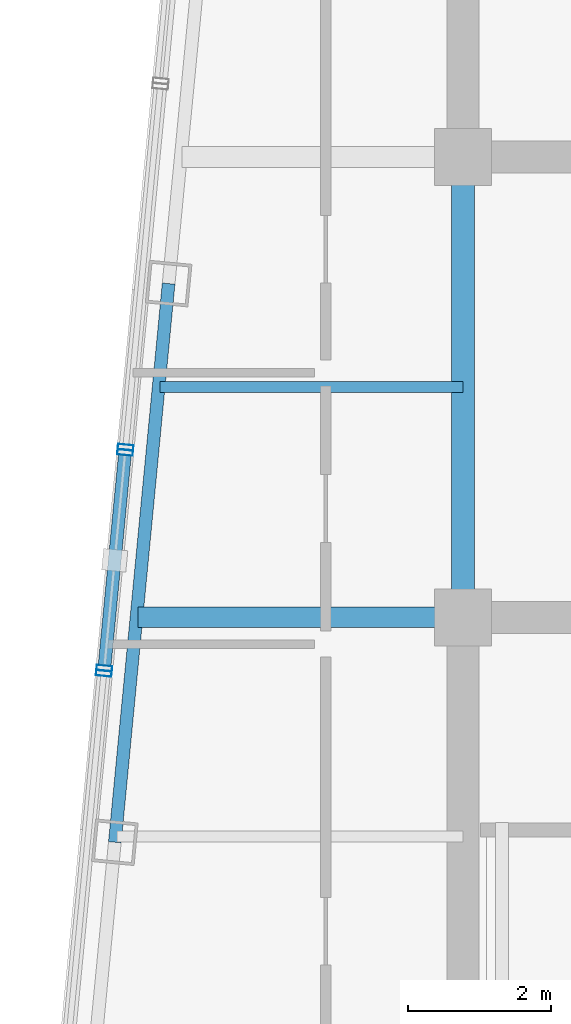
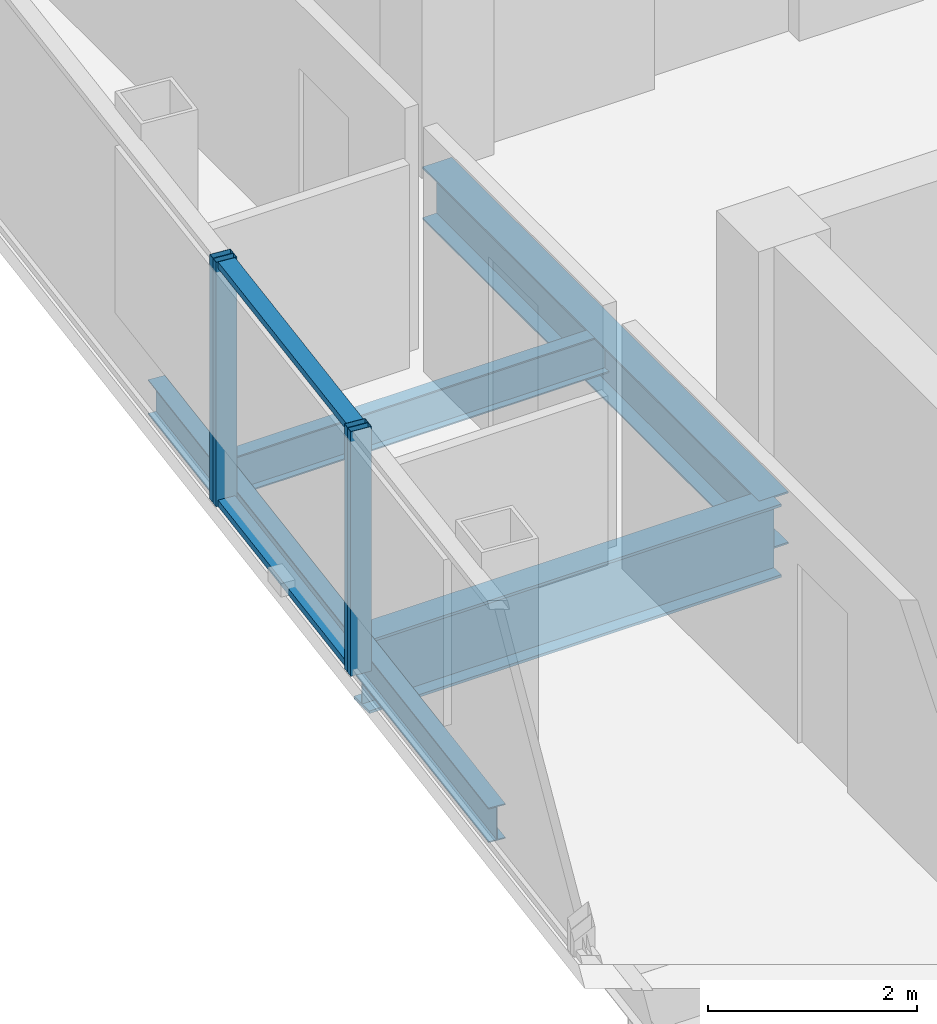
# One storey, part 7 of 23: 6 members, 4 beams, 3 elements without a shape of their own.
"""IFC4 building model written with IfcOpenShell, lengths in metres."""

from ifc_helpers import new_model, si_unit, direction, frame, origin, origin_2d, place, context, subcontext, project, spatial, hollow_rectangle, i_section, extrude, material, layer, layer_set, material_profile, profile_set, type_object, element, aggregate, save


model = new_model("IFC4")

# Units and contexts
model_context = context("Model", 3, precision=1e-05, world=origin(), true_north=direction((0.0, 1.0)))
body_context = subcontext(model_context, "Body", "Model", "MODEL_VIEW")
ifc_project = project(units=[si_unit("LENGTHUNIT", "METRE"), si_unit("AREAUNIT", "SQUARE_METRE"), si_unit("VOLUMEUNIT", "CUBIC_METRE"), si_unit("PLANEANGLEUNIT", "RADIAN"), si_unit("MASSUNIT", "GRAM", prefix="KILO")], contexts=[model_context])

# Site, building, storey
site_placement = place(None, origin())
site = spatial("IfcSite", under=ifc_project, at=site_placement, CompositionType="ELEMENT")
building_placement = place(site_placement, origin())
building = spatial("IfcBuilding", under=site, at=building_placement, Name="Qhalaya Broadcast Tower", CompositionType="ELEMENT")
storey_placement = place(building_placement, frame((0.0, 0.0, 261.14990234375)))
storey = spatial("IfcBuildingStorey", under=building, at=storey_placement, Name="L77", CompositionType="ELEMENT", Elevation=261.14990234375)

# Beams
ifc_material_1 = material(Name="Structural Steel ASTM A992 Grade 50", Category="steel")
ifc_material_profile_1 = material_profile(ifc_material_1, i_section(OverallWidth=0.154052734375, OverallDepth=0.458984375, WebThickness=0.009033203125, FlangeThickness=0.015380859375, at=origin_2d()), Name="W18X46")
ifc_profile_set_1 = profile_set([ifc_material_profile_1], Name="Structural Steel ASTM A992 Grade 50")
beam_type_1 = type_object("IfcBeamType", Name="Composite Floor Joist J04", PredefinedType="JOIST", material=ifc_profile_set_1)
beam_1_placement = place(storey_placement, frame((-13.622314453125, 0.60009765625, -0.41943359375), z_axis=(1.0, 0.0, 0.0), x_axis=(0.0, 1.0, 0.0)))
element("IfcBeam", 1, at=beam_1_placement, inside=storey, type_object=beam_type_1, Name="L77 J04 L77-JWE4W-1", PredefinedType="JOIST", context=body_context, shape_type="SweptSolid", body=[
    extrude(i_section(OverallWidth=0.154052734375, OverallDepth=0.458984375, WebThickness=0.009033203125, FlangeThickness=0.015380859375, at=origin_2d()), origin(), (0.0, 0.0, 1.0), 4.247314453125),
])
ifc_material_profile_2 = material_profile(ifc_material_1, i_section(OverallWidth=0.323974609375, OverallDepth=0.612060546875, WebThickness=0.0126953125, FlangeThickness=0.01904296875, at=origin_2d()), Name="W24X104")
ifc_profile_set_2 = profile_set([ifc_material_profile_2], Name="Structural Steel ASTM A992 Grade 50")
beam_type_2 = type_object("IfcBeamType", Name="Core Frame Tie Beam B04", PredefinedType="BEAM", material=ifc_profile_set_2)
beam_2_placement = place(storey_placement, frame((-9.375, -2.625, -0.495849609375), z_axis=(0.0, 1.0, 0.0), x_axis=(-1.0, 0.0, 0.0)))
element("IfcBeam", 2, at=beam_2_placement, inside=storey, type_object=beam_type_2, Name="L77 B04 L77-CCW", PredefinedType="BEAM", context=body_context, shape_type="SweptSolid", body=[
    extrude(i_section(OverallWidth=0.323974609375, OverallDepth=0.612060546875, WebThickness=0.0126953125, FlangeThickness=0.01904296875, at=origin_2d()), origin(), (0.0, 0.0, 1.0), 6.449951171875),
])

# Curtain wall, member
ifc_material_2 = material(Name="Fired Architectural Terracotta", Category="masonry")
ifc_layer_1 = layer(ifc_material_2, 0.219970703125, Name="Fired Architectural Terracotta")
ifc_layer_set_1 = layer_set([ifc_layer_1], Name="Fired Architectural Terracotta")
curtain_wall_type_1 = type_object("IfcCurtainWallType", Name="Block-Cap Unitised Terracotta Spandrel Wall CW-07", PredefinedType="NOTDEFINED", material=ifc_layer_set_1)
curtain_wall_1_placement = place(storey_placement, origin())
curtain_wall_1 = element("IfcCurtainWall", 3, at=curtain_wall_1_placement, inside=storey, type_object=curtain_wall_type_1, Name="L77 Unitised Curtain Wall L77-CW-W3", PredefinedType="NOTDEFINED")
ifc_material_3 = material(Name="Anodised Aluminium 6063-T6", Category="aluminium")
ifc_material_profile_3 = material_profile(ifc_material_3, hollow_rectangle(XDim=0.074951171875, YDim=0.219970703125, WallThickness=0.00390625, at=origin_2d()), Name="ALU-MUL 75x220x4")
ifc_profile_set_3 = profile_set([ifc_material_profile_3], Name="Anodised Aluminium 6063-T6")
member_type_1 = type_object("IfcMemberType", Name="Unitised Curtain-Wall Mullion M01", PredefinedType="MULLION", material=ifc_profile_set_3)
member_1_placement = place(storey_placement, frame((-14.105224609375, -0.240966796875, 0.0), z_axis=(0.0, 0.0, 1.0), x_axis=(-0.095851335452, -0.995395660776, 0.0)))
member_1 = element("IfcMember", 4, at=member_1_placement, type_object=member_type_1, Name="CW-07 mullion 2", PredefinedType="MULLION", context=body_context, shape_type="SweptSolid", body=[
    extrude(hollow_rectangle(XDim=0.074951171875, YDim=0.219970703125, WallThickness=0.00390625, at=origin_2d()), origin(), (0.0, 0.0, 1.0), 2.860107421875),
])
aggregate(curtain_wall_1, [member_1])

# Curtain wall, members
ifc_material_4 = material(Name="Solar-Control Low-E Triple Glazing", Category="glass")
ifc_layer_2 = layer(ifc_material_4, 0.219970703125, Name="Solar-Control Low-E Triple Glazing")
ifc_layer_set_2 = layer_set([ifc_layer_2], Name="Solar-Control Low-E Triple Glazing")
curtain_wall_type_2 = type_object("IfcCurtainWallType", Name="High-Altitude Upper-Shaft Triple Low-E Curtain Wall CW-04", PredefinedType="NOTDEFINED", material=ifc_layer_set_2)
curtain_wall_2_placement = place(storey_placement, origin())
curtain_wall_2 = element("IfcCurtainWall", 5, at=curtain_wall_2_placement, inside=storey, type_object=curtain_wall_type_2, Name="L77 Unitised Curtain Wall L77-CW-W4", PredefinedType="NOTDEFINED")
member_2_placement = place(storey_placement, frame((-14.1123046875, -0.315673828125, 0.0), z_axis=(0.0, 0.0, 1.0), x_axis=(-0.095819626155, -0.995398713704, 0.0)))
member_2 = element("IfcMember", 6, at=member_2_placement, type_object=member_type_1, Name="CW-04 mullion 1", PredefinedType="MULLION", context=body_context, shape_type="SweptSolid", body=[
    extrude(hollow_rectangle(XDim=0.074951171875, YDim=0.219970703125, WallThickness=0.00390625, at=origin_2d()), origin(), (0.0, 0.0, 1.0), 2.860107421875),
])
member_3_placement = place(storey_placement, frame((-14.403076171875, -3.336669921875, 0.0), z_axis=(0.0, 0.0, 1.0), x_axis=(-0.095819626155, -0.995398713704, 0.0)))
member_3 = element("IfcMember", 7, at=member_3_placement, type_object=member_type_1, Name="CW-04 mullion 2", PredefinedType="MULLION", context=body_context, shape_type="SweptSolid", body=[
    extrude(hollow_rectangle(XDim=0.074951171875, YDim=0.219970703125, WallThickness=0.00390625, at=origin_2d()), origin(), (0.0, 0.0, 1.0), 2.860107421875),
])

# Curtain wall, member
curtain_wall_3_placement = place(storey_placement, origin())
curtain_wall_3 = element("IfcCurtainWall", 8, at=curtain_wall_3_placement, inside=storey, type_object=curtain_wall_type_1, Name="L77 Unitised Curtain Wall L77-CW-W5", PredefinedType="NOTDEFINED")
member_4_placement = place(storey_placement, frame((-14.410400390625, -3.411376953125, 0.0), z_axis=(0.0, 0.0, 1.0), x_axis=(-0.095849485357, -0.995395838929, 0.0)))
member_4 = element("IfcMember", 9, at=member_4_placement, type_object=member_type_1, Name="CW-07 mullion 1", PredefinedType="MULLION", context=body_context, shape_type="SweptSolid", body=[
    extrude(hollow_rectangle(XDim=0.074951171875, YDim=0.219970703125, WallThickness=0.00390625, at=origin_2d()), origin(), (0.0, 0.0, 1.0), 2.860107421875),
])
aggregate(curtain_wall_3, [member_4])

# Member
ifc_material_profile_4 = material_profile(ifc_material_3, hollow_rectangle(XDim=0.074951171875, YDim=0.179931640625, WallThickness=0.00390625, at=origin_2d()), Name="ALU-TRN 75x180x4")
ifc_profile_set_4 = profile_set([ifc_material_profile_4], Name="Anodised Aluminium 6063-T6")
member_type_2 = type_object("IfcMemberType", Name="Unitised Curtain-Wall Transom T01", PredefinedType="USERDEFINED", material=ifc_profile_set_4)
member_5_placement = place(storey_placement, frame((-14.115966796875, -0.35302734375, 0.03759765625), z_axis=(-0.095754838418, -0.995404948209, 0.0), x_axis=(0.0, 0.0, 1.0)))
member_5 = element("IfcMember", 10, at=member_5_placement, type_object=member_type_2, Name="CW-04 transom 1.1", ObjectType="TRANSOM", PredefinedType="USERDEFINED", context=body_context, shape_type="SweptSolid", body=[
    extrude(hollow_rectangle(XDim=0.074951171875, YDim=0.179931640625, WallThickness=0.00390625, at=origin_2d()), origin(), (0.0, 0.0, 1.0), 2.960205078125),
])

member_6_placement = place(storey_placement, frame((-14.115966796875, -0.35302734375, 2.822509765625), z_axis=(-0.095754838418, -0.995404948209, 0.0), x_axis=(0.0, 0.0, 1.0)))
member_6 = element("IfcMember", 11, at=member_6_placement, type_object=member_type_2, Name="CW-04 transom 1.2", ObjectType="TRANSOM", PredefinedType="USERDEFINED", context=body_context, shape_type="SweptSolid", body=[
    extrude(hollow_rectangle(XDim=0.074951171875, YDim=0.179931640625, WallThickness=0.00390625, at=origin_2d()), origin(), (0.0, 0.0, 1.0), 2.960205078125),
])

aggregate(curtain_wall_2, [member_2, member_3, member_5, member_6])

# Beams
ifc_material_profile_5 = material_profile(ifc_material_1, i_section(OverallWidth=0.2919921875, OverallDepth=0.85888671875, WebThickness=0.01708984375, FlangeThickness=0.031005859375, at=origin_2d()), Name="W33X169")
ifc_profile_set_5 = profile_set([ifc_material_profile_5], Name="Structural Steel ASTM A992 Grade 50")
beam_type_3 = type_object("IfcBeamType", Name="Upper Block Primary Girder PG4", PredefinedType="USERDEFINED", material=ifc_profile_set_5)
beam_3_placement = place(storey_placement, frame((-13.9326171875, -2.625, -0.619384765625), z_axis=(1.0, 0.0, 0.0), x_axis=(0.0, 1.0, 0.0)))
element("IfcBeam", 12, at=beam_3_placement, inside=storey, type_object=beam_type_3, Name="L77 PG4 L77-PGYW2-1", ObjectType="GIRDER", PredefinedType="USERDEFINED", context=body_context, shape_type="SweptSolid", body=[
    extrude(i_section(OverallWidth=0.2919921875, OverallDepth=0.85888671875, WebThickness=0.01708984375, FlangeThickness=0.031005859375, at=origin_2d()), origin(), (0.0, 0.0, 1.0), 4.5576171875),
])
ifc_material_profile_6 = material_profile(ifc_material_1, i_section(OverallWidth=0.177978515625, OverallDepth=0.406005859375, WebThickness=0.0078125, FlangeThickness=0.0126953125, at=origin_2d()), Name="W16X40")
ifc_profile_set_6 = profile_set([ifc_material_profile_6], Name="Structural Steel ASTM A992 Grade 50")
beam_type_4 = type_object("IfcBeamType", Name="Upper Perimeter Spandrel Beam SP2", PredefinedType="SPANDREL", material=ifc_profile_set_6)
beam_4_placement = place(storey_placement, frame((-13.50244140625, 2.052490234375, -0.392822265625), z_axis=(-0.095837184179, -0.995397023367, 0.0), x_axis=(0.995397023367, -0.095837184179, 0.0)))
element("IfcBeam", 13, at=beam_4_placement, inside=storey, type_object=beam_type_4, Name="L77 SP2 L77-SPR-14", PredefinedType="SPANDREL", context=body_context, shape_type="SweptSolid", body=[
    extrude(i_section(OverallWidth=0.177978515625, OverallDepth=0.406005859375, WebThickness=0.0078125, FlangeThickness=0.0126953125, at=origin_2d()), origin(), (0.0, 0.0, 1.0), 7.866455078125),
])

save(model, "model.ifc")
